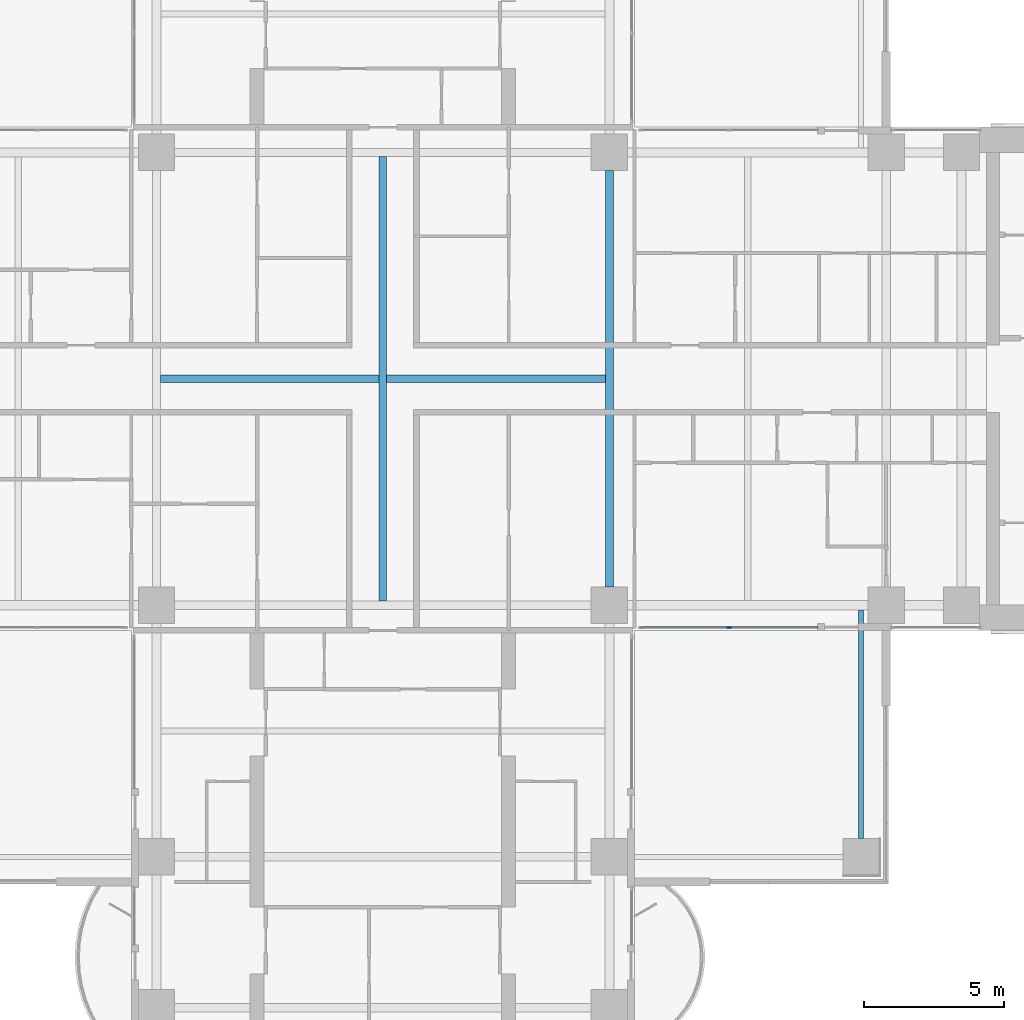
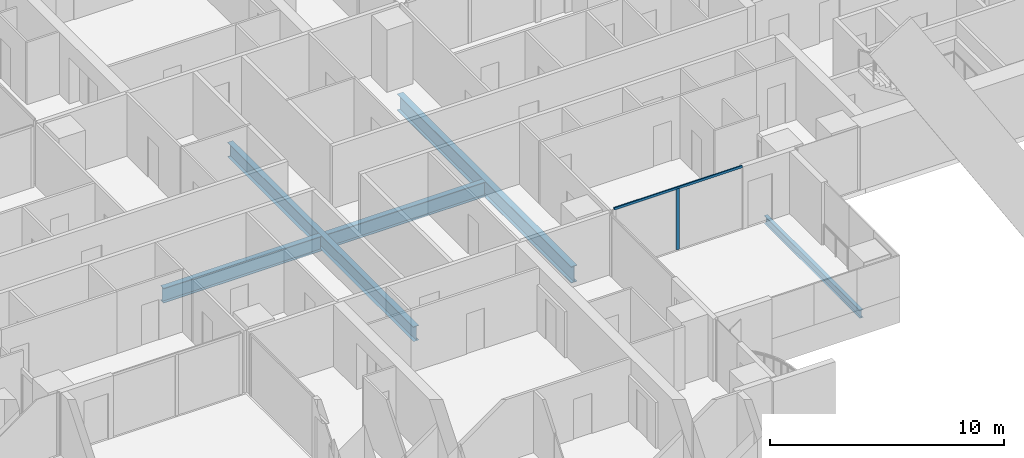
# One storey, part 4 of 23: 5 beams, 2 members, 1 element without a shape of its own.
"""IFC4 building model written with IfcOpenShell, lengths in metres."""

from ifc_helpers import new_model, si_unit, direction, frame, origin, origin_2d, place, context, subcontext, project, spatial, rectangle, i_section, extrude, material, material_profile, profile_set, type_object, element, aggregate, save


model = new_model("IFC4")

# Units and contexts
model_context = context("Model", 3, precision=1e-05, world=origin(), true_north=direction((0.0, 1.0)))
body_context = subcontext(model_context, "Body", "Model", "MODEL_VIEW")
ifc_project = project(units=[si_unit("LENGTHUNIT", "METRE"), si_unit("AREAUNIT", "SQUARE_METRE"), si_unit("VOLUMEUNIT", "CUBIC_METRE"), si_unit("PLANEANGLEUNIT", "RADIAN"), si_unit("MASSUNIT", "GRAM", prefix="KILO")], contexts=[model_context])

# Site, building, storey
site_placement = place(None, origin())
site = spatial("IfcSite", under=ifc_project, at=site_placement, CompositionType="ELEMENT")
building_placement = place(site_placement, origin())
building = spatial("IfcBuilding", under=site, at=building_placement, Name="Perihelion Cross Residences", CompositionType="ELEMENT")
storey_placement = place(building_placement, frame((0.0, 0.0, 61.0)))
storey = spatial("IfcBuildingStorey", under=building, at=storey_placement, Name="L12", CompositionType="ELEMENT", Elevation=61.0)

# Curtain wall, members
ifc_material_1 = material(Name="Bronze anodised aluminium, tinted glazing", Category="aluminium")
curtain_wall_type = type_object("IfcCurtainWallType", Name="CW1", PredefinedType="NOTDEFINED", material=ifc_material_1)
curtain_wall_placement = place(storey_placement, origin())
curtain_wall = element("IfcCurtainWall", 1, at=curtain_wall_placement, inside=storey, type_object=curtain_wall_type, Name="Curtain wall CW1 L12 east side south bay 1", PredefinedType="NOTDEFINED")
ifc_material_2 = material(Name="Bronze anodised aluminium", Category="aluminium")
ifc_material_profile_1 = material_profile(ifc_material_2, rectangle(XDim=0.06005859375, YDim=0.159912109375, at=origin_2d()), Name="CW1 mullion")
ifc_profile_set_1 = profile_set([ifc_material_profile_1], Name="Bronze anodised aluminium")
member_type_1 = type_object("IfcMemberType", Name="CW1 mullion", PredefinedType="MULLION", material=ifc_profile_set_1)
member_1_placement = place(storey_placement, frame((12.375, -8.89990234375, 0.0), z_axis=(0.0, 0.0, 1.0), x_axis=(0.0, 1.0, 0.0)))
member_1 = element("IfcMember", 2, at=member_1_placement, type_object=member_type_1, Name="CW1 mullion 2", PredefinedType="MULLION", context=body_context, shape_type="SweptSolid", body=[
    extrude(rectangle(XDim=0.06005859375, YDim=0.159912109375, at=origin_2d()), origin(), (0.0, 0.0, 1.0), 3.18994140625),
])
ifc_material_3 = material(Name="Bronze anodised aluminium", Category="aluminium")
ifc_material_profile_2 = material_profile(ifc_material_3, rectangle(XDim=0.06005859375, YDim=0.1201171875, at=origin_2d()), Name="CW1 transom")
ifc_profile_set_2 = profile_set([ifc_material_profile_2], Name="Bronze anodised aluminium")
member_type_2 = type_object("IfcMemberType", Name="CW1 transom", PredefinedType="USERDEFINED", material=ifc_profile_set_2)
member_2_placement = place(storey_placement, frame((9.22998046875, -8.89990234375, 3.219970703125), z_axis=(1.0, 0.0, 0.0), x_axis=(0.0, 1.0, 0.0)))
member_2 = element("IfcMember", 3, at=member_2_placement, type_object=member_type_2, Name="CW1 head transom", ObjectType="TRANSOM", PredefinedType="USERDEFINED", context=body_context, shape_type="SweptSolid", body=[
    extrude(rectangle(XDim=0.06005859375, YDim=0.1201171875, at=origin_2d()), origin(), (0.0, 0.0, 1.0), 6.320068359375),
])
aggregate(curtain_wall, [member_1, member_2])

# Beams
ifc_material_4 = material(Name="Steel S355", Category="steel")
ifc_material_profile_3 = material_profile(ifc_material_4, i_section(OverallWidth=0.177978515625, OverallDepth=0.406005859375, WebThickness=0.0078125, FlangeThickness=0.0126953125, at=origin_2d()), Name="W410x60")
ifc_profile_set_3 = profile_set([ifc_material_profile_3], Name="Steel S355")
beam_type_1 = type_object("IfcBeamType", Name="Core edge beam W410x60", PredefinedType="BEAM", material=ifc_profile_set_3)
beam_1_placement = place(storey_placement, frame((17.10009765625, -8.262451171875, -0.452880859375), z_axis=(0.0, -1.0, 0.0), x_axis=(1.0, 0.0, 0.0)))
element("IfcBeam", 4, at=beam_1_placement, inside=storey, type_object=beam_type_1, Name="Core edge beam TB2 L12 corner no. 5", PredefinedType="BEAM", context=body_context, shape_type="SweptSolid", body=[
    extrude(i_section(OverallWidth=0.177978515625, OverallDepth=0.406005859375, WebThickness=0.0078125, FlangeThickness=0.0126953125, at=origin_2d()), origin(), (0.0, 0.0, 1.0), 8.1875),
])
ifc_material_5 = material(Name="Steel S355", Category="steel")
ifc_material_profile_4 = material_profile(ifc_material_5, i_section(OverallWidth=0.26708984375, OverallDepth=0.77001953125, WebThickness=0.015625, FlangeThickness=0.025390625, at=origin_2d()), Name="W760x196")
ifc_profile_set_4 = profile_set([ifc_material_profile_4], Name="Steel S355")
beam_type_2 = type_object("IfcBeamType", Name="Hub cross beam W760x196", PredefinedType="BEAM", material=ifc_profile_set_4)
beam_2_placement = place(storey_placement, frame((0.0, -7.9541015625, -0.635009765625), z_axis=(0.0, 1.0, 0.0), x_axis=(-1.0, 0.0, 0.0)))
element("IfcBeam", 5, at=beam_2_placement, inside=storey, type_object=beam_type_2, Name="Hub cross beam XB2 L12 no. 1", PredefinedType="BEAM", context=body_context, shape_type="SweptSolid", body=[
    extrude(i_section(OverallWidth=0.26708984375, OverallDepth=0.77001953125, WebThickness=0.015625, FlangeThickness=0.025390625, at=origin_2d()), origin(), (0.0, 0.0, 1.0), 15.908203125),
])
for number, where, z_axis, x_axis, name in (
    (6, (-7.9541015625, 0.0, -0.635009765625), (1.0, 0.0, 0.0), (0.0, 1.0, 0.0), "Hub cross beam XB2 L12 1 no. 1"),
    (7, (0.133544921875, 0.0, -0.635009765625), (1.0, 0.0, 0.0), (0.0, 1.0, 0.0), "Hub cross beam XB2 L12 2 no. 1"),
):
    element("IfcBeam", number, at=place(storey_placement, frame(where, z_axis=z_axis, x_axis=x_axis)), inside=storey, type_object=beam_type_2, Name=name, PredefinedType="BEAM", context=body_context, shape_type="SweptSolid", body=[
        extrude(i_section(OverallWidth=0.26708984375, OverallDepth=0.77001953125, WebThickness=0.015625, FlangeThickness=0.025390625, at=origin_2d()), origin(), (0.0, 0.0, 1.0), 7.820556640625),
    ])
ifc_material_6 = material(Name="Steel S355", Category="steel")
ifc_material_profile_5 = material_profile(ifc_material_6, i_section(OverallWidth=0.2919921875, OverallDepth=0.85888671875, WebThickness=0.01708984375, FlangeThickness=0.031005859375, at=origin_2d()), Name="W840x251")
ifc_profile_set_5 = profile_set([ifc_material_profile_5], Name="Steel S355")
beam_type_3 = type_object("IfcBeamType", Name="Hub ring girder W840x251", PredefinedType="BEAM", material=ifc_profile_set_5)
beam_3_placement = place(storey_placement, frame((8.10009765625, -7.449951171875, -0.679443359375), z_axis=(0.0, 1.0, 0.0), x_axis=(-1.0, 0.0, 0.0)))
element("IfcBeam", 8, at=beam_3_placement, inside=storey, type_object=beam_type_3, Name="Hub ring girder RG2 L12 no. 3", PredefinedType="BEAM", context=body_context, shape_type="SweptSolid", body=[
    extrude(i_section(OverallWidth=0.2919921875, OverallDepth=0.85888671875, WebThickness=0.01708984375, FlangeThickness=0.031005859375, at=origin_2d()), origin(), (0.0, 0.0, 1.0), 14.89990234375),
])

save(model, "model.ifc")
